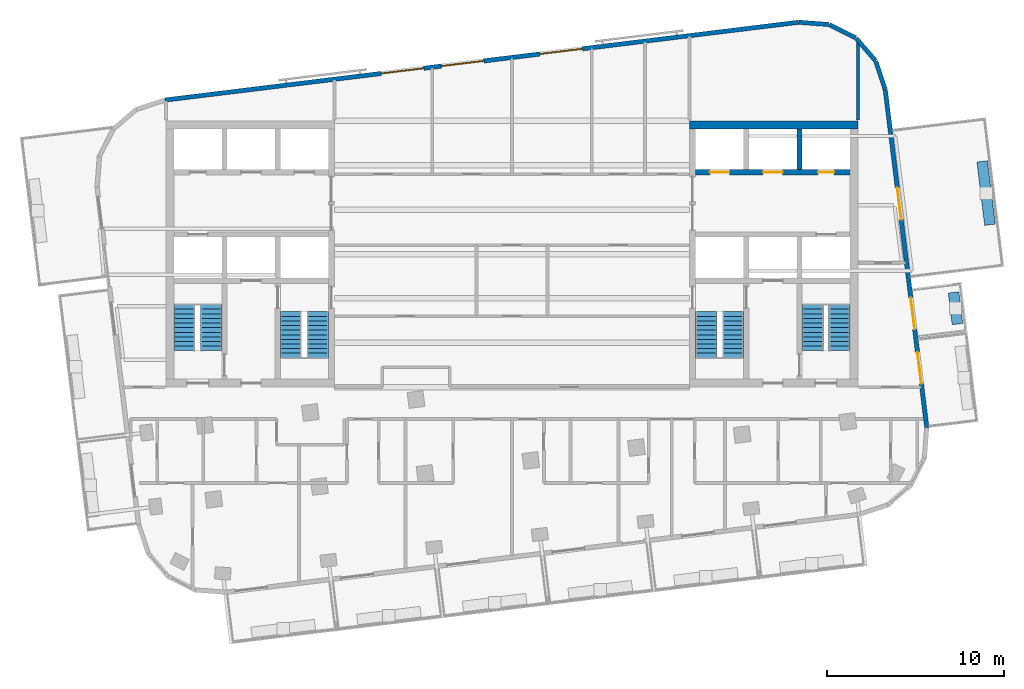
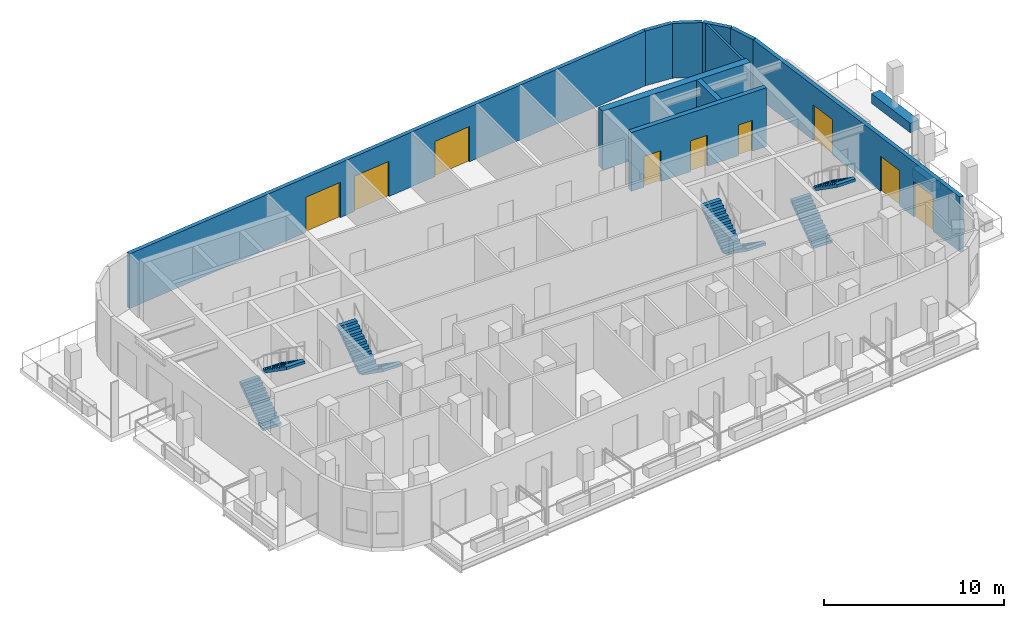
# One storey, part 7 of 11: 12 walls, 8 stair flights, 6 doors, 3 windows, 9 openings, 4 elements without a shape of their own.
"""IFC4 building model written with IfcOpenShell, lengths in metres."""

from ifc_helpers import new_model, si_unit, direction, frame, frame_2d, origin, place, context, subcontext, project, spatial, polyline, rectangle, outline, extrude, material, layer, layer_set, type_object, element, fill, aggregate, save


model = new_model("IFC4")

# Units and contexts
model_context = context("Model", 3, precision=1e-05, world=origin(), true_north=direction((0.0, 1.0)))
body_context = subcontext(model_context, "Body", "Model", "MODEL_VIEW")
ifc_project = project(units=[si_unit("LENGTHUNIT", "METRE"), si_unit("AREAUNIT", "SQUARE_METRE"), si_unit("VOLUMEUNIT", "CUBIC_METRE"), si_unit("PLANEANGLEUNIT", "RADIAN"), si_unit("MASSUNIT", "GRAM", prefix="KILO")], contexts=[model_context])

# Site, building, storey
site_placement = place(None, origin())
site = spatial("IfcSite", under=ifc_project, at=site_placement, CompositionType="ELEMENT")
building_placement = place(site_placement, origin())
building = spatial("IfcBuilding", under=site, at=building_placement, Name="Torana Hotel and Residences", CompositionType="ELEMENT")
storey_placement = place(building_placement, frame((0.0, 0.0, 322.60009765625)))
storey = spatial("IfcBuildingStorey", under=building, at=storey_placement, Name="L85", CompositionType="ELEMENT", Elevation=322.60009765625)

# Wall, openings, doors
ifc_material_1 = material(Name="Concrete C60/75", Category="concrete")
ifc_layer_1 = layer(ifc_material_1, 0.300048828125)
ifc_layer_set_1 = layer_set([ifc_layer_1], Name="CORE WALL 300 C60/75")
wall_type_1 = type_object("IfcWallType", Name="CORE WALL 300 C60/75", PredefinedType="SHEAR", material=ifc_layer_set_1)
wall_1_placement = place(storey_placement, frame((10.35009765625, -2.89990234375, 0.0), z_axis=(0.0, 0.0, 1.0), x_axis=(1.0, 0.0, 0.0)))
wall_1 = element("IfcWall", 1, at=wall_1_placement, inside=storey, type_object=wall_type_1, Name="Core wall E row-N", PredefinedType="SHEAR", context=body_context, shape_type="SweptSolid", body=[
    extrude(rectangle(XDim=8.699951171875, YDim=0.300048828125, at=frame_2d((4.35009765625, 0.0))), origin(), (0.0, 0.0, 1.0), 4.0),
])
opening_1_placement = place(wall_1_placement, frame((0.800048828125, 0.0, 0.0)))
opening_1 = element("IfcOpeningElement", 2, at=opening_1_placement, cuts=wall_1, Name="Opening LD", PredefinedType="OPENING", context=body_context, shape_type="SweptSolid", body=[
    extrude(rectangle(XDim=1.10009765625, YDim=2.10009765625, at=frame_2d((0.550048828125, 1.050048828125))), frame((0.0, 0.159912109375, 0.0), z_axis=(0.0, -1.0, 0.0), x_axis=(1.0, 0.0, 0.0)), (0.0, 0.0, 1.0), 0.320068359375),
])
opening_2_placement = place(wall_1_placement, frame((3.800048828125, 0.0, 0.0)))
opening_2 = element("IfcOpeningElement", 3, at=opening_2_placement, cuts=wall_1, Name="Opening LD", PredefinedType="OPENING", context=body_context, shape_type="SweptSolid", body=[
    extrude(rectangle(XDim=1.10009765625, YDim=2.10009765625, at=frame_2d((0.550048828125, 1.050048828125))), frame((0.0, 0.159912109375, 0.0), z_axis=(0.0, -1.0, 0.0), x_axis=(1.0, 0.0, 0.0)), (0.0, 0.0, 1.0), 0.320068359375),
])
opening_3_placement = place(wall_1_placement, frame((6.89990234375, 0.0, 0.0)))
opening_3 = element("IfcOpeningElement", 4, at=opening_3_placement, cuts=wall_1, Name="Opening L85-14", PredefinedType="OPENING", context=body_context, shape_type="SweptSolid", body=[
    extrude(rectangle(XDim=0.89990234375, YDim=2.10009765625, at=frame_2d((0.449951171875, 1.050048828125))), frame((0.0, 0.159912109375, 0.0), z_axis=(0.0, -1.0, 0.0), x_axis=(1.0, 0.0, 0.0)), (0.0, 0.0, 1.0), 0.320068359375),
])
ifc_material_2 = material(Name="Stainless steel 316", Category="steel")
door_type_1 = type_object("IfcDoorType", Name="LIFT LANDING DOOR LD 1100x2100", OperationType="DOUBLE_DOOR_SLIDING", PredefinedType="USERDEFINED", material=ifc_material_2)
door_1_placement = place(opening_1_placement, origin())
door_1 = element("IfcDoor", 5, at=door_1_placement, inside=storey, type_object=door_type_1, Name="Lift landing door H3 L85", ObjectType="LIFT LANDING DOOR", OperationType="DOUBLE_DOOR_SLIDING", OverallHeight=2.10009765625, OverallWidth=1.10009765625, PredefinedType="USERDEFINED", context=body_context, shape_type="SweptSolid", body=[
    extrude(rectangle(XDim=1.10009765625, YDim=2.10009765625, at=frame_2d((0.550048828125, 1.050048828125))), frame((0.0, 0.02490234375, 0.0), z_axis=(0.0, -1.0, 0.0), x_axis=(1.0, 0.0, 0.0)), (0.0, 0.0, 1.0), 0.050048828125),
])
fill(opening_1, door_1)
door_2_placement = place(opening_2_placement, origin())
door_2 = element("IfcDoor", 6, at=door_2_placement, inside=storey, type_object=door_type_1, Name="Lift landing door H4 L85", ObjectType="LIFT LANDING DOOR", OperationType="DOUBLE_DOOR_SLIDING", OverallHeight=2.10009765625, OverallWidth=1.10009765625, PredefinedType="USERDEFINED", context=body_context, shape_type="SweptSolid", body=[
    extrude(rectangle(XDim=1.10009765625, YDim=2.10009765625, at=frame_2d((0.550048828125, 1.050048828125))), frame((0.0, 0.02490234375, 0.0), z_axis=(0.0, -1.0, 0.0), x_axis=(1.0, 0.0, 0.0)), (0.0, 0.0, 1.0), 0.050048828125),
])
fill(opening_2, door_2)
ifc_material_3 = material(Name="Steel S235", Category="steel")
door_type_2 = type_object("IfcDoorType", Name="RISER ACCESS DOOR D5 900x2100", OperationType="SINGLE_SWING_LEFT", PredefinedType="DOOR", material=ifc_material_3)
door_3_placement = place(opening_3_placement, origin())
door_3 = element("IfcDoor", 7, at=door_3_placement, inside=storey, type_object=door_type_2, Name="N2 door L85", OperationType="SINGLE_SWING_RIGHT", OverallHeight=2.10009765625, OverallWidth=0.89990234375, PredefinedType="DOOR", context=body_context, shape_type="SweptSolid", body=[
    extrude(rectangle(XDim=0.89990234375, YDim=2.10009765625, at=frame_2d((0.449951171875, 1.050048828125))), frame((0.0, 0.02490234375, 0.0), z_axis=(0.0, -1.0, 0.0), x_axis=(1.0, 0.0, 0.0)), (0.0, 0.0, 1.0), 0.050048828125),
])
fill(opening_3, door_3)

# Walls
wall_2_placement = place(storey_placement, frame((16.199951171875, -2.75, 0.0), z_axis=(0.0, 0.0, 1.0), x_axis=(0.0, 1.0, 0.0)))
element("IfcWall", 8, at=wall_2_placement, inside=storey, type_object=wall_type_1, Name="Core wall E x6.05-N", PredefinedType="SHEAR", context=body_context, shape_type="SweptSolid", body=[
    extrude(rectangle(XDim=2.300048828125, YDim=0.300048828125, at=frame_2d((1.14990234375, 0.0))), origin(), (0.0, 0.0, 1.0), 4.0),
])
ifc_material_4 = material(Name="Concrete C60/75", Category="concrete")
ifc_layer_2 = layer(ifc_material_4, 0.449951171875)
ifc_layer_set_2 = layer_set([ifc_layer_2], Name="CORE WALL 450 C60/75")
wall_type_2 = type_object("IfcWallType", Name="CORE WALL 450 C60/75", PredefinedType="SHEAR", material=ifc_layer_set_2)
wall_3_placement = place(storey_placement, frame((10.0, -0.22509765625, 0.0), z_axis=(0.0, 0.0, 1.0), x_axis=(1.0, 0.0, 0.0)))
element("IfcWall", 9, at=wall_3_placement, inside=storey, type_object=wall_type_2, Name="Core wall E rear", PredefinedType="SHEAR", context=body_context, shape_type="SweptSolid", body=[
    extrude(rectangle(XDim=9.5, YDim=0.449951171875, at=frame_2d((4.75, 0.0))), origin(), (0.0, 0.0, 1.0), 4.0),
])
ifc_material_5 = material(Name="Black aluminium composite panel", Category="aluminium")
ifc_layer_3 = layer(ifc_material_5, 0.00390625, Name="Cladding", Category="cladding")
ifc_material_6 = material(Name="Ventilated air cavity")
ifc_layer_4 = layer(ifc_material_6, 0.0400390625, Name="Ventilated cavity", Category="cavity")
ifc_material_7 = material(Name="Mineral wool insulation")
ifc_layer_5 = layer(ifc_material_7, 0.090087890625, Name="Insulation", Category="insulation")
ifc_material_8 = material(Name="Steel S280GD", Category="steel")
ifc_layer_6 = layer(ifc_material_8, 0.092041015625, Name="Steel stud frame", Category="structure")
ifc_material_9 = material(Name="Fire rated plasterboard")
ifc_layer_7 = layer(ifc_material_9, 0.011962890625, Name="Inner board", Category="finish")
ifc_layer_8 = layer(ifc_material_9, 0.011962890625, Name="Second board", Category="finish")
ifc_layer_set_3 = layer_set([ifc_layer_3, ifc_layer_4, ifc_layer_5, ifc_layer_6, ifc_layer_7, ifc_layer_8], Name="EW1 EXTERNAL WALL BLACK METAL CLAD 250")
wall_type_3 = type_object("IfcWallType", Name="EW1 EXTERNAL WALL BLACK METAL CLAD 250", PredefinedType="SOLIDWALL", material=ifc_layer_set_3)
wall_4_placement = place(storey_placement, frame((21.035888671875, 1.754638671875, 0.0), z_axis=(0.0, 0.0, 1.0), x_axis=(-0.313046160822, 0.949737911844, 0.0)))
element("IfcWall", 10, at=wall_4_placement, inside=storey, type_object=wall_type_3, Name="External wall L85 e0.0", PredefinedType="SOLIDWALL", context=body_context, shape_type="SweptSolid", body=[
    extrude(rectangle(XDim=1.681396484375, YDim=0.25, at=frame_2d((0.8408203125, 0.0))), origin(), (0.0, 0.0, 1.0), 3.719970703125),
])
for number, where, z_axis, x_axis, name in (
    (11, (20.4853515625, 3.39404296875, 0.0), (0.0, 0.0, 1.0), (-0.652755886531, 0.757568315466, 0.0), "External wall L85 e0.1"),
    (12, (19.36572265625, 4.678955078125, 0.0), (0.0, 0.0, 1.0), (-0.893007580524, 0.450041621549, 0.0), "External wall L85 e0.2"),
):
    element("IfcWall", number, at=place(storey_placement, frame(where, z_axis=z_axis, x_axis=x_axis)), inside=storey, type_object=wall_type_3, Name=name, PredefinedType="SOLIDWALL", context=body_context, shape_type="SweptSolid", body=[
        extrude(rectangle(XDim=1.65625, YDim=0.25, at=frame_2d((0.828125, 0.0))), origin(), (0.0, 0.0, 1.0), 3.719970703125),
    ])
wall_5_placement = place(storey_placement, frame((17.839599609375, 5.4375, 0.0), z_axis=(0.0, 0.0, 1.0), x_axis=(-0.997254267475, 0.074053534713, 0.0)))
element("IfcWall", 13, at=wall_5_placement, inside=storey, type_object=wall_type_3, Name="External wall L85 e0.3", PredefinedType="SOLIDWALL", context=body_context, shape_type="SweptSolid", body=[
    extrude(rectangle(XDim=1.681396484375, YDim=0.25, at=frame_2d((0.8408203125, 0.0))), origin(), (0.0, 0.0, 1.0), 3.719970703125),
])

# Wall, openings, doors
wall_6_placement = place(storey_placement, frame((23.375, -17.277099609375, 0.0), z_axis=(0.0, 0.0, 1.0), x_axis=(-0.121862878281, 0.992546945437, 0.0)))
wall_6 = element("IfcWall", 14, at=wall_6_placement, inside=storey, type_object=wall_type_3, Name="External wall L85 e0.19", PredefinedType="SOLIDWALL", context=body_context, shape_type="SweptSolid", body=[
    extrude(rectangle(XDim=19.150634765625, YDim=0.25, at=frame_2d((9.5751953125, 0.0))), origin(), (0.0, 0.0, 1.0), 3.719970703125),
])
opening_4_placement = place(wall_6_placement, frame((2.479248046875, 0.0, 0.0)))
opening_4 = element("IfcOpeningElement", 15, at=opening_4_placement, cuts=wall_6, Name="Opening L85-E07", PredefinedType="OPENING", context=body_context, shape_type="SweptSolid", body=[
    extrude(rectangle(XDim=1.800048828125, YDim=2.39990234375, at=frame_2d((0.89990234375, 1.199951171875))), frame((0.0, 0.135009765625, 0.0), z_axis=(0.0, -1.0, 0.0), x_axis=(1.0, 0.0, 0.0)), (0.0, 0.0, 1.0), 0.27001953125),
])
opening_5_placement = place(wall_6_placement, frame((5.5751953125, 0.0, 0.0)))
opening_5 = element("IfcOpeningElement", 16, at=opening_5_placement, cuts=wall_6, Name="Opening L85-E08", PredefinedType="OPENING", context=body_context, shape_type="SweptSolid", body=[
    extrude(rectangle(XDim=1.800048828125, YDim=2.39990234375, at=frame_2d((0.89990234375, 1.199951171875))), frame((0.0, 0.135009765625, 0.0), z_axis=(0.0, -1.0, 0.0), x_axis=(1.0, 0.0, 0.0)), (0.0, 0.0, 1.0), 0.27001953125),
])
opening_6_placement = place(wall_6_placement, frame((11.806640625, 0.0, 0.0)))
opening_6 = element("IfcOpeningElement", 17, at=opening_6_placement, cuts=wall_6, Name="Opening L85-E09", PredefinedType="OPENING", context=body_context, shape_type="SweptSolid", body=[
    extrude(rectangle(XDim=1.800048828125, YDim=2.39990234375, at=frame_2d((0.89990234375, 1.199951171875))), frame((0.0, 0.135009765625, 0.0), z_axis=(0.0, -1.0, 0.0), x_axis=(1.0, 0.0, 0.0)), (0.0, 0.0, 1.0), 0.27001953125),
])
ifc_material_10 = material(Name="Dark glass in black aluminium frame", Category="aluminium")
door_type_3 = type_object("IfcDoorType", Name="DB1 BALCONY DOOR 1800x2400", OperationType="DOUBLE_DOOR_SINGLE_SWING", PredefinedType="DOOR", material=ifc_material_10)
door_4_placement = place(opening_4_placement, origin())
door_4 = element("IfcDoor", 18, at=door_4_placement, inside=storey, type_object=door_type_3, Name="Balcony door L85", OperationType="DOUBLE_DOOR_SINGLE_SWING", OverallHeight=2.39990234375, OverallWidth=1.800048828125, PredefinedType="DOOR", context=body_context, shape_type="SweptSolid", body=[
    extrude(rectangle(XDim=1.800048828125, YDim=2.39990234375, at=frame_2d((0.89990234375, 1.199951171875))), frame((0.0, 0.02490234375, 0.0), z_axis=(0.0, -1.0, 0.0), x_axis=(1.0, 0.0, 0.0)), (0.0, 0.0, 1.0), 0.050048828125),
])
fill(opening_4, door_4)
door_5_placement = place(opening_5_placement, origin())
door_5 = element("IfcDoor", 19, at=door_5_placement, inside=storey, type_object=door_type_3, Name="Balcony door L85", OperationType="DOUBLE_DOOR_SINGLE_SWING", OverallHeight=2.39990234375, OverallWidth=1.800048828125, PredefinedType="DOOR", context=body_context, shape_type="SweptSolid", body=[
    extrude(rectangle(XDim=1.800048828125, YDim=2.39990234375, at=frame_2d((0.89990234375, 1.199951171875))), frame((0.0, 0.02490234375, 0.0), z_axis=(0.0, -1.0, 0.0), x_axis=(1.0, 0.0, 0.0)), (0.0, 0.0, 1.0), 0.050048828125),
])
fill(opening_5, door_5)
door_6_placement = place(opening_6_placement, origin())
door_6 = element("IfcDoor", 20, at=door_6_placement, inside=storey, type_object=door_type_3, Name="Balcony door L85", OperationType="DOUBLE_DOOR_SINGLE_SWING", OverallHeight=2.39990234375, OverallWidth=1.800048828125, PredefinedType="DOOR", context=body_context, shape_type="SweptSolid", body=[
    extrude(rectangle(XDim=1.800048828125, YDim=2.39990234375, at=frame_2d((0.89990234375, 1.199951171875))), frame((0.0, 0.02490234375, 0.0), z_axis=(0.0, -1.0, 0.0), x_axis=(1.0, 0.0, 0.0)), (0.0, 0.0, 1.0), 0.050048828125),
])
fill(opening_6, door_6)

# Wall, openings, windows
ifc_material_11 = material(Name="Concrete C40/50 precast", Category="concrete")
ifc_layer_9 = layer(ifc_material_11, 0.10009765625, Name="Perforated block", Category="cladding")
ifc_material_12 = material(Name="Air cavity")
ifc_layer_10 = layer(ifc_material_12, 0.030029296875, Name="Cavity", Category="cavity")
ifc_material_13 = material(Name="Concrete C40/50", Category="concrete")
ifc_layer_11 = layer(ifc_material_13, 0.10009765625, Name="Wall", Category="structure")
ifc_material_14 = material(Name="Plaster and paint")
ifc_layer_12 = layer(ifc_material_14, 0.02001953125, Name="Inner finish", Category="finish")
ifc_layer_set_4 = layer_set([ifc_layer_9, ifc_layer_10, ifc_layer_11, ifc_layer_12], Name="EW2 PERFORATED BLOCK SCREEN WALL 250")
wall_type_4 = type_object("IfcWallType", Name="EW2 PERFORATED BLOCK SCREEN WALL 250", PredefinedType="SOLIDWALL", material=ifc_layer_set_4)
wall_7_placement = place(storey_placement, frame((16.13818359375, 5.561279296875, 0.0), z_axis=(0.0, 0.0, 1.0), x_axis=(-0.992546726876, -0.121864658405, 0.0)))
wall_7 = element("IfcWall", 21, at=wall_7_placement, inside=storey, type_object=wall_type_4, Name="External wall L85 e0.4", PredefinedType="SOLIDWALL", context=body_context, shape_type="SweptSolid", body=[
    extrude(rectangle(XDim=35.95068359375, YDim=0.25, at=frame_2d((17.975341796875, 0.0))), origin(), (0.0, 0.0, 1.0), 3.719970703125),
])
opening_7_placement = place(wall_7_placement, frame((12.275390625, 0.0, 0.0)))
opening_7 = element("IfcOpeningElement", 22, at=opening_7_placement, cuts=wall_7, Name="Opening W6", PredefinedType="OPENING", context=body_context, shape_type="SweptSolid", body=[
    extrude(rectangle(XDim=2.39990234375, YDim=2.39990234375, at=frame_2d((1.199951171875, 1.199951171875))), frame((0.0, 0.135009765625, 0.0), z_axis=(0.0, -1.0, 0.0), x_axis=(1.0, 0.0, 0.0)), (0.0, 0.0, 1.0), 0.27001953125),
])
opening_8_placement = place(wall_7_placement, frame((17.865234375, 0.0, 0.0)))
opening_8 = element("IfcOpeningElement", 23, at=opening_8_placement, cuts=wall_7, Name="Opening W6", PredefinedType="OPENING", context=body_context, shape_type="SweptSolid", body=[
    extrude(rectangle(XDim=2.39990234375, YDim=2.39990234375, at=frame_2d((1.199951171875, 1.199951171875))), frame((0.0, 0.135009765625, 0.0), z_axis=(0.0, -1.0, 0.0), x_axis=(1.0, 0.0, 0.0)), (0.0, 0.0, 1.0), 0.27001953125),
])
opening_9_placement = place(wall_7_placement, frame((21.275390625, 0.0, 0.0)))
opening_9 = element("IfcOpeningElement", 24, at=opening_9_placement, cuts=wall_7, Name="Opening W6", PredefinedType="OPENING", context=body_context, shape_type="SweptSolid", body=[
    extrude(rectangle(XDim=2.39990234375, YDim=2.39990234375, at=frame_2d((1.199951171875, 1.199951171875))), frame((0.0, 0.135009765625, 0.0), z_axis=(0.0, -1.0, 0.0), x_axis=(1.0, 0.0, 0.0)), (0.0, 0.0, 1.0), 0.27001953125),
])
ifc_material_15 = material(Name="Dark glass in black aluminium frame", Category="aluminium")
window_type = type_object("IfcWindowType", Name="W6 CLUB GLAZED BAY 2400x2400", PartitioningType="SINGLE_PANEL", PredefinedType="WINDOW", material=ifc_material_15)
window_1_placement = place(opening_7_placement, origin())
window_1 = element("IfcWindow", 25, at=window_1_placement, inside=storey, type_object=window_type, Name="Window L85", OverallHeight=2.39990234375, OverallWidth=2.39990234375, PartitioningType="SINGLE_PANEL", PredefinedType="WINDOW", context=body_context, shape_type="SweptSolid", body=[
    extrude(rectangle(XDim=2.39990234375, YDim=2.39990234375, at=frame_2d((1.199951171875, 1.199951171875))), frame((0.0, 0.030029296875, 0.0), z_axis=(0.0, -1.0, 0.0), x_axis=(1.0, 0.0, 0.0)), (0.0, 0.0, 1.0), 0.06005859375),
])
fill(opening_7, window_1)
window_2_placement = place(opening_8_placement, origin())
window_2 = element("IfcWindow", 26, at=window_2_placement, inside=storey, type_object=window_type, Name="Window L85", OverallHeight=2.39990234375, OverallWidth=2.39990234375, PartitioningType="SINGLE_PANEL", PredefinedType="WINDOW", context=body_context, shape_type="SweptSolid", body=[
    extrude(rectangle(XDim=2.39990234375, YDim=2.39990234375, at=frame_2d((1.199951171875, 1.199951171875))), frame((0.0, 0.030029296875, 0.0), z_axis=(0.0, -1.0, 0.0), x_axis=(1.0, 0.0, 0.0)), (0.0, 0.0, 1.0), 0.06005859375),
])
fill(opening_8, window_2)
window_3_placement = place(opening_9_placement, origin())
window_3 = element("IfcWindow", 27, at=window_3_placement, inside=storey, type_object=window_type, Name="Window L85", OverallHeight=2.39990234375, OverallWidth=2.39990234375, PartitioningType="SINGLE_PANEL", PredefinedType="WINDOW", context=body_context, shape_type="SweptSolid", body=[
    extrude(rectangle(XDim=2.39990234375, YDim=2.39990234375, at=frame_2d((1.199951171875, 1.199951171875))), frame((0.0, 0.030029296875, 0.0), z_axis=(0.0, -1.0, 0.0), x_axis=(1.0, 0.0, 0.0)), (0.0, 0.0, 1.0), 0.06005859375),
])
fill(opening_9, window_3)

# Walls
ifc_material_16 = material(Name="Gypsum plasterboard")
ifc_layer_13 = layer(ifc_material_16, 0.012451171875, Name="Plasterboard", Category="finish")
ifc_layer_14 = layer(ifc_material_16, 0.012451171875, Name="Plasterboard", Category="finish")
ifc_layer_15 = layer(ifc_material_8, 0.10009765625, Name="Steel studs with mineral wool", Category="insulation")
ifc_layer_16 = layer(ifc_material_16, 0.012451171875, Name="Plasterboard", Category="finish")
ifc_layer_17 = layer(ifc_material_16, 0.012451171875, Name="Plasterboard", Category="finish")
ifc_layer_set_5 = layer_set([ifc_layer_13, ifc_layer_14, ifc_layer_15, ifc_layer_16, ifc_layer_17], Name="PARTITION 150 PLASTERBOARD")
wall_type_5 = type_object("IfcWallType", Name="PARTITION 150 PLASTERBOARD", PredefinedType="PARTITIONING", material=ifc_layer_set_5)
wall_8_placement = place(storey_placement, frame((19.5, 0.050048828125, 0.0), z_axis=(0.0, 0.0, 1.0), x_axis=(0.0, 1.0, 0.0)))
element("IfcWall", 28, at=wall_8_placement, inside=storey, type_object=wall_type_5, Name="Partition L85", PredefinedType="PARTITIONING", context=body_context, shape_type="SweptSolid", body=[
    extrude(rectangle(XDim=4.4033203125, YDim=0.14990234375, at=frame_2d((2.20166015625, 0.0))), origin(), (0.0, 0.0, 1.0), 3.719970703125),
])
ifc_layer_18 = layer(ifc_material_11, 0.10009765625, Name="Planter shell", Category="structure")
ifc_material_17 = material(Name="Root resistant membrane")
ifc_layer_19 = layer(ifc_material_17, 0.00390625, Name="Waterproofing membrane", Category="membrane")
ifc_material_18 = material(Name="Drainage board with filter fleece")
ifc_layer_20 = layer(ifc_material_18, 0.02001953125, Name="Drainage board", Category="drainage")
ifc_material_19 = material(Name="Growing medium")
ifc_layer_21 = layer(ifc_material_19, 0.47607421875, Name="Planting substrate", Category="soil")
ifc_layer_set_6 = layer_set([ifc_layer_18, ifc_layer_19, ifc_layer_20, ifc_layer_21], Name="PL1 BALCONY PLANTER 600")
wall_type_6 = type_object("IfcWallType", Name="PL1 BALCONY PLANTER 600", PredefinedType="USERDEFINED", material=ifc_layer_set_6)
wall_9_placement = place(storey_placement, frame((24.88330078125, -9.66162109375, 0.0), z_axis=(0.0, 0.0, 1.0), x_axis=(0.121830336845, -0.992550940267, 0.0)))
element("IfcWall", 29, at=wall_9_placement, inside=storey, type_object=wall_type_6, Name="Planter 11", ObjectType="PLANTER", PredefinedType="USERDEFINED", context=body_context, shape_type="SweptSolid", body=[
    extrude(rectangle(XDim=1.799560546875, YDim=0.60009765625, at=frame_2d((0.89990234375, 0.0))), origin(), (0.0, 0.0, 1.0), 0.64990234375),
])
wall_10_placement = place(storey_placement, frame((26.49560546875, -2.2783203125, 0.0), z_axis=(0.0, 0.0, 1.0), x_axis=(0.121864343918, -0.992546765488, 0.0)))
element("IfcWall", 30, at=wall_10_placement, inside=storey, type_object=wall_type_6, Name="Planter 12", ObjectType="PLANTER", PredefinedType="USERDEFINED", context=body_context, shape_type="SweptSolid", body=[
    extrude(rectangle(XDim=3.60009765625, YDim=0.60009765625, at=frame_2d((1.800048828125, 0.0))), origin(), (0.0, 0.0, 1.0), 0.64990234375),
])

# Stair, stair flights
ifc_material_20 = material(Name="Concrete C40/50 precast", Category="concrete")
stair_type_1 = type_object("IfcStairType", Name="STAIR ST1 HALF TURN 1200", PredefinedType="HALF_TURN_STAIR", material=ifc_material_20)
stair_1_placement = place(storey_placement, origin())
stair_1 = element("IfcStair", 31, at=stair_1_placement, inside=storey, type_object=stair_type_1, Name="Stair ST1 L85", PredefinedType="HALF_TURN_STAIR")
ifc_material_21 = material(Name="Concrete C40/50 precast", Category="concrete")
stair_flight_type = type_object("IfcStairFlightType", Name="STAIR FLIGHT 1200 PRECAST", PredefinedType="STRAIGHT", material=ifc_material_21)
stair_flight_1_placement = place(storey_placement, frame((-10.949951171875, -10.75, 0.0), z_axis=(0.0, 0.0, 1.0), x_axis=(0.0, -1.0, 0.0)))
stair_flight_1 = element("IfcStairFlight", 32, at=stair_flight_1_placement, type_object=stair_flight_type, Name="ST1 flight 1", NumberOfRisers=11, NumberOfTreads=10, PredefinedType="STRAIGHT", RiserHeight=0.181818182, TreadLength=0.26, context=body_context, shape_type="SweptSolid", body=[
    extrude(outline(polyline([(0.0, 0.0), (0.0, 0.181884765625), (0.260009765625, 0.181884765625), (0.260009765625, 0.363525390625), (0.52001953125, 0.363525390625), (0.52001953125, 0.54541015625), (0.780029296875, 0.54541015625), (0.780029296875, 0.727294921875), (1.0400390625, 0.727294921875), (1.0400390625, 0.9091796875), (1.300048828125, 0.9091796875), (1.300048828125, 1.0908203125), (1.56005859375, 1.0908203125), (1.56005859375, 1.272705078125), (1.820068359375, 1.272705078125), (1.820068359375, 1.45458984375), (2.080078125, 1.45458984375), (2.080078125, 1.636474609375), (2.340087890625, 1.636474609375), (2.340087890625, 1.818115234375), (2.60009765625, 1.818115234375), (2.60009765625, 2.0), (2.60009765625, 1.63525390625), (0.261474609375, 0.0), (0.0, 0.0)])), frame((0.0, 0.60009765625, 0.0), z_axis=(0.0, -1.0, 0.0), x_axis=(1.0, 0.0, 0.0)), (0.0, 0.0, 1.0), 1.199951171875),
])
stair_flight_2_placement = place(storey_placement, frame((-12.449951171875, -13.35009765625, 2.0), z_axis=(0.0, 0.0, 1.0), x_axis=(0.0, 1.0, 0.0)))
stair_flight_2 = element("IfcStairFlight", 33, at=stair_flight_2_placement, type_object=stair_flight_type, Name="ST1 flight 2", NumberOfRisers=11, NumberOfTreads=10, PredefinedType="STRAIGHT", RiserHeight=0.181818182, TreadLength=0.26, context=body_context, shape_type="SweptSolid", body=[
    extrude(outline(polyline([(0.0, 0.0), (0.0, 0.181884765625), (0.260009765625, 0.181884765625), (0.260009765625, 0.363525390625), (0.52001953125, 0.363525390625), (0.52001953125, 0.54541015625), (0.780029296875, 0.54541015625), (0.780029296875, 0.727294921875), (1.0400390625, 0.727294921875), (1.0400390625, 0.9091796875), (1.300048828125, 0.9091796875), (1.300048828125, 1.0908203125), (1.56005859375, 1.0908203125), (1.56005859375, 1.272705078125), (1.820068359375, 1.272705078125), (1.820068359375, 1.45458984375), (2.080078125, 1.45458984375), (2.080078125, 1.636474609375), (2.340087890625, 1.636474609375), (2.340087890625, 1.818115234375), (2.60009765625, 1.818115234375), (2.60009765625, 2.0), (2.60009765625, 1.63525390625), (0.261474609375, 0.0), (0.0, 0.0)])), frame((0.0, 0.60009765625, 0.0), z_axis=(0.0, -1.0, 0.0), x_axis=(1.0, 0.0, 0.0)), (0.0, 0.0, 1.0), 1.199951171875),
])
aggregate(stair_1, [stair_flight_1, stair_flight_2])

ifc_material_22 = material(Name="Concrete C40/50 precast", Category="concrete")
stair_type_2 = type_object("IfcStairType", Name="STAIR ST2 HALF TURN 1200", PredefinedType="HALF_TURN_STAIR", material=ifc_material_22)
stair_2_placement = place(storey_placement, origin())
stair_2 = element("IfcStair", 34, at=stair_2_placement, inside=storey, type_object=stair_type_2, Name="Stair ST2 L85", PredefinedType="HALF_TURN_STAIR")
stair_flight_3_placement = place(storey_placement, frame((-18.449951171875, -12.949951171875, 0.0), z_axis=(0.0, 0.0, 1.0), x_axis=(0.0, 1.0, 0.0)))
stair_flight_3 = element("IfcStairFlight", 35, at=stair_flight_3_placement, type_object=stair_flight_type, Name="ST2 flight 1", NumberOfRisers=11, NumberOfTreads=10, PredefinedType="STRAIGHT", RiserHeight=0.181818182, TreadLength=0.26, context=body_context, shape_type="SweptSolid", body=[
    extrude(outline(polyline([(0.0, 0.0), (0.0, 0.181884765625), (0.260009765625, 0.181884765625), (0.260009765625, 0.363525390625), (0.52001953125, 0.363525390625), (0.52001953125, 0.54541015625), (0.780029296875, 0.54541015625), (0.780029296875, 0.727294921875), (1.0400390625, 0.727294921875), (1.0400390625, 0.9091796875), (1.300048828125, 0.9091796875), (1.300048828125, 1.0908203125), (1.56005859375, 1.0908203125), (1.56005859375, 1.272705078125), (1.820068359375, 1.272705078125), (1.820068359375, 1.45458984375), (2.080078125, 1.45458984375), (2.080078125, 1.636474609375), (2.340087890625, 1.636474609375), (2.340087890625, 1.818115234375), (2.60009765625, 1.818115234375), (2.60009765625, 2.0), (2.60009765625, 1.63525390625), (0.261474609375, 0.0), (0.0, 0.0)])), frame((0.0, 0.60009765625, 0.0), z_axis=(0.0, -1.0, 0.0), x_axis=(1.0, 0.0, 0.0)), (0.0, 0.0, 1.0), 1.199951171875),
])
stair_flight_4_placement = place(storey_placement, frame((-16.949951171875, -10.35009765625, 2.0), z_axis=(0.0, 0.0, 1.0), x_axis=(0.0, -1.0, 0.0)))
stair_flight_4 = element("IfcStairFlight", 36, at=stair_flight_4_placement, type_object=stair_flight_type, Name="ST2 flight 2", NumberOfRisers=11, NumberOfTreads=10, PredefinedType="STRAIGHT", RiserHeight=0.181818182, TreadLength=0.26, context=body_context, shape_type="SweptSolid", body=[
    extrude(outline(polyline([(0.0, 0.0), (0.0, 0.181884765625), (0.260009765625, 0.181884765625), (0.260009765625, 0.363525390625), (0.52001953125, 0.363525390625), (0.52001953125, 0.54541015625), (0.780029296875, 0.54541015625), (0.780029296875, 0.727294921875), (1.0400390625, 0.727294921875), (1.0400390625, 0.9091796875), (1.300048828125, 0.9091796875), (1.300048828125, 1.0908203125), (1.56005859375, 1.0908203125), (1.56005859375, 1.272705078125), (1.820068359375, 1.272705078125), (1.820068359375, 1.45458984375), (2.080078125, 1.45458984375), (2.080078125, 1.636474609375), (2.340087890625, 1.636474609375), (2.340087890625, 1.818115234375), (2.60009765625, 1.818115234375), (2.60009765625, 2.0), (2.60009765625, 1.63525390625), (0.261474609375, 0.0), (0.0, 0.0)])), frame((0.0, 0.60009765625, 0.0), z_axis=(0.0, -1.0, 0.0), x_axis=(1.0, 0.0, 0.0)), (0.0, 0.0, 1.0), 1.199951171875),
])
aggregate(stair_2, [stair_flight_3, stair_flight_4])

ifc_material_23 = material(Name="Concrete C40/50 precast", Category="concrete")
stair_type_3 = type_object("IfcStairType", Name="STAIR ST3 HALF TURN 1200", PredefinedType="HALF_TURN_STAIR", material=ifc_material_23)
stair_3_placement = place(storey_placement, origin())
stair_3 = element("IfcStair", 37, at=stair_3_placement, inside=storey, type_object=stair_type_3, Name="Stair ST3 L85", PredefinedType="HALF_TURN_STAIR")
stair_flight_5_placement = place(storey_placement, frame((12.449951171875, -10.75, 0.0), z_axis=(0.0, 0.0, 1.0), x_axis=(0.0, -1.0, 0.0)))
stair_flight_5 = element("IfcStairFlight", 38, at=stair_flight_5_placement, type_object=stair_flight_type, Name="ST3 flight 1", NumberOfRisers=11, NumberOfTreads=10, PredefinedType="STRAIGHT", RiserHeight=0.181818182, TreadLength=0.26, context=body_context, shape_type="SweptSolid", body=[
    extrude(outline(polyline([(0.0, 0.0), (0.0, 0.181884765625), (0.260009765625, 0.181884765625), (0.260009765625, 0.363525390625), (0.52001953125, 0.363525390625), (0.52001953125, 0.54541015625), (0.780029296875, 0.54541015625), (0.780029296875, 0.727294921875), (1.0400390625, 0.727294921875), (1.0400390625, 0.9091796875), (1.300048828125, 0.9091796875), (1.300048828125, 1.0908203125), (1.56005859375, 1.0908203125), (1.56005859375, 1.272705078125), (1.820068359375, 1.272705078125), (1.820068359375, 1.45458984375), (2.080078125, 1.45458984375), (2.080078125, 1.636474609375), (2.340087890625, 1.636474609375), (2.340087890625, 1.818115234375), (2.60009765625, 1.818115234375), (2.60009765625, 2.0), (2.60009765625, 1.63525390625), (0.261474609375, 0.0), (0.0, 0.0)])), frame((0.0, 0.60009765625, 0.0), z_axis=(0.0, -1.0, 0.0), x_axis=(1.0, 0.0, 0.0)), (0.0, 0.0, 1.0), 1.199951171875),
])
stair_flight_6_placement = place(storey_placement, frame((10.949951171875, -13.35009765625, 2.0), z_axis=(0.0, 0.0, 1.0), x_axis=(0.0, 1.0, 0.0)))
stair_flight_6 = element("IfcStairFlight", 39, at=stair_flight_6_placement, type_object=stair_flight_type, Name="ST3 flight 2", NumberOfRisers=11, NumberOfTreads=10, PredefinedType="STRAIGHT", RiserHeight=0.181818182, TreadLength=0.26, context=body_context, shape_type="SweptSolid", body=[
    extrude(outline(polyline([(0.0, 0.0), (0.0, 0.181884765625), (0.260009765625, 0.181884765625), (0.260009765625, 0.363525390625), (0.52001953125, 0.363525390625), (0.52001953125, 0.54541015625), (0.780029296875, 0.54541015625), (0.780029296875, 0.727294921875), (1.0400390625, 0.727294921875), (1.0400390625, 0.9091796875), (1.300048828125, 0.9091796875), (1.300048828125, 1.0908203125), (1.56005859375, 1.0908203125), (1.56005859375, 1.272705078125), (1.820068359375, 1.272705078125), (1.820068359375, 1.45458984375), (2.080078125, 1.45458984375), (2.080078125, 1.636474609375), (2.340087890625, 1.636474609375), (2.340087890625, 1.818115234375), (2.60009765625, 1.818115234375), (2.60009765625, 2.0), (2.60009765625, 1.63525390625), (0.261474609375, 0.0), (0.0, 0.0)])), frame((0.0, 0.60009765625, 0.0), z_axis=(0.0, -1.0, 0.0), x_axis=(1.0, 0.0, 0.0)), (0.0, 0.0, 1.0), 1.199951171875),
])
aggregate(stair_3, [stair_flight_5, stair_flight_6])

ifc_material_24 = material(Name="Concrete C40/50 precast", Category="concrete")
stair_type_4 = type_object("IfcStairType", Name="STAIR ST4 HALF TURN 1200", PredefinedType="HALF_TURN_STAIR", material=ifc_material_24)
stair_4_placement = place(storey_placement, origin())
stair_4 = element("IfcStair", 40, at=stair_4_placement, inside=storey, type_object=stair_type_4, Name="Stair ST4 L85", PredefinedType="HALF_TURN_STAIR")
stair_flight_7_placement = place(storey_placement, frame((16.949951171875, -12.949951171875, 0.0), z_axis=(0.0, 0.0, 1.0), x_axis=(0.0, 1.0, 0.0)))
stair_flight_7 = element("IfcStairFlight", 41, at=stair_flight_7_placement, type_object=stair_flight_type, Name="ST4 flight 1", NumberOfRisers=11, NumberOfTreads=10, PredefinedType="STRAIGHT", RiserHeight=0.181818182, TreadLength=0.26, context=body_context, shape_type="SweptSolid", body=[
    extrude(outline(polyline([(0.0, 0.0), (0.0, 0.181884765625), (0.260009765625, 0.181884765625), (0.260009765625, 0.363525390625), (0.52001953125, 0.363525390625), (0.52001953125, 0.54541015625), (0.780029296875, 0.54541015625), (0.780029296875, 0.727294921875), (1.0400390625, 0.727294921875), (1.0400390625, 0.9091796875), (1.300048828125, 0.9091796875), (1.300048828125, 1.0908203125), (1.56005859375, 1.0908203125), (1.56005859375, 1.272705078125), (1.820068359375, 1.272705078125), (1.820068359375, 1.45458984375), (2.080078125, 1.45458984375), (2.080078125, 1.636474609375), (2.340087890625, 1.636474609375), (2.340087890625, 1.818115234375), (2.60009765625, 1.818115234375), (2.60009765625, 2.0), (2.60009765625, 1.63525390625), (0.261474609375, 0.0), (0.0, 0.0)])), frame((0.0, 0.60009765625, 0.0), z_axis=(0.0, -1.0, 0.0), x_axis=(1.0, 0.0, 0.0)), (0.0, 0.0, 1.0), 1.199951171875),
])
stair_flight_8_placement = place(storey_placement, frame((18.449951171875, -10.35009765625, 2.0), z_axis=(0.0, 0.0, 1.0), x_axis=(0.0, -1.0, 0.0)))
stair_flight_8 = element("IfcStairFlight", 42, at=stair_flight_8_placement, type_object=stair_flight_type, Name="ST4 flight 2", NumberOfRisers=11, NumberOfTreads=10, PredefinedType="STRAIGHT", RiserHeight=0.181818182, TreadLength=0.26, context=body_context, shape_type="SweptSolid", body=[
    extrude(outline(polyline([(0.0, 0.0), (0.0, 0.181884765625), (0.260009765625, 0.181884765625), (0.260009765625, 0.363525390625), (0.52001953125, 0.363525390625), (0.52001953125, 0.54541015625), (0.780029296875, 0.54541015625), (0.780029296875, 0.727294921875), (1.0400390625, 0.727294921875), (1.0400390625, 0.9091796875), (1.300048828125, 0.9091796875), (1.300048828125, 1.0908203125), (1.56005859375, 1.0908203125), (1.56005859375, 1.272705078125), (1.820068359375, 1.272705078125), (1.820068359375, 1.45458984375), (2.080078125, 1.45458984375), (2.080078125, 1.636474609375), (2.340087890625, 1.636474609375), (2.340087890625, 1.818115234375), (2.60009765625, 1.818115234375), (2.60009765625, 2.0), (2.60009765625, 1.63525390625), (0.261474609375, 0.0), (0.0, 0.0)])), frame((0.0, 0.60009765625, 0.0), z_axis=(0.0, -1.0, 0.0), x_axis=(1.0, 0.0, 0.0)), (0.0, 0.0, 1.0), 1.199951171875),
])
aggregate(stair_4, [stair_flight_7, stair_flight_8])

save(model, "model.ifc")
